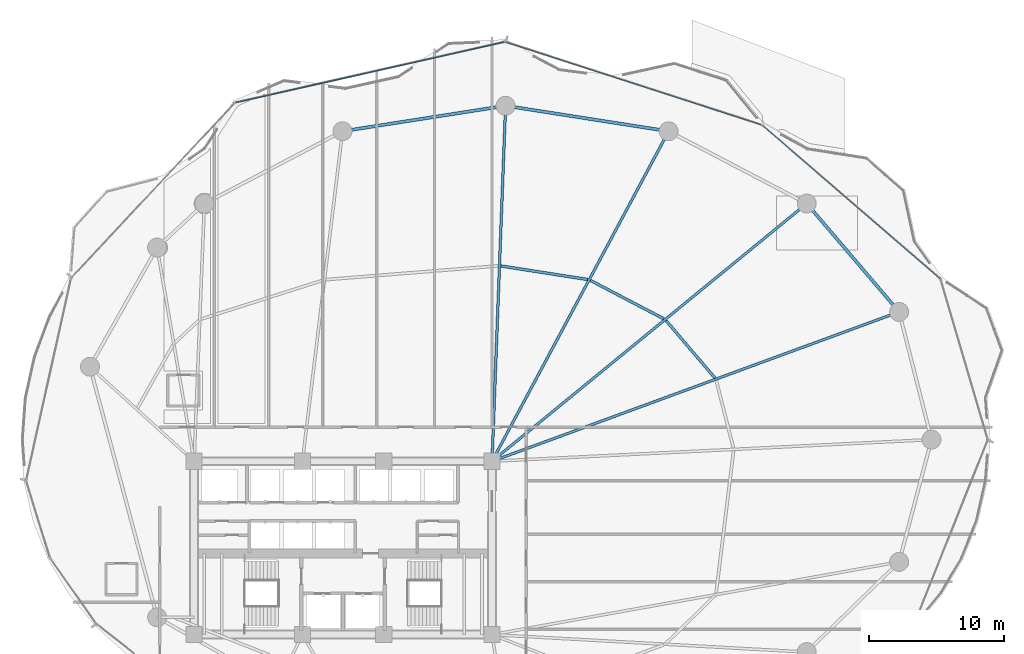
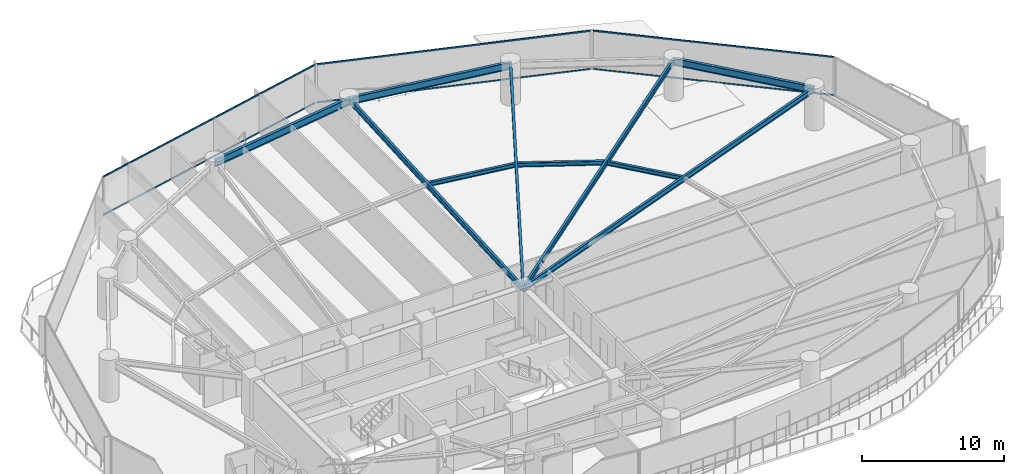
# One storey, part 19 of 32: 10 beams, 6 members, 3 elements without a shape of their own.
"""IFC4 building model written with IfcOpenShell, lengths in metres."""

import ifcopenshell
import ifcopenshell.guid

model = None  # the IFC model being written
_history = None  # IfcOwnerHistory: only IFC2X3 demands one
_inside = {}  # id of a spatial element -> (the spatial element, [elements in it])
_under = {}  # id of a project, library or spatial element -> (it, [spatial elements below it])
_declared = {}  # id of a project -> (the project, [libraries it declares])
_typed = {}  # id of a type object -> (the type object, [elements of that type])
_made_of = {}  # id of a material, layer set ... -> (it, [elements and type objects made of it])


def new_model(schema):
    """Start an empty IFC model of exactly this schema.

    Asked for "IFC4X3", IfcOpenShell would pick the latest addendum, in which some entities
    have other attributes; the version numbers below select the first issue.
    IFC2X3 requires an IfcOwnerHistory on every rooted entity: one is made here for all.
    """
    global model, _history
    if schema == "IFC4X3":
        model = ifcopenshell.file(schema_version=(4, 3, 0, 0))
    else:
        model = ifcopenshell.file(schema=schema)
    _inside.clear()
    _under.clear()
    _declared.clear()
    _typed.clear()
    _made_of.clear()
    _history = None
    if model.schema == "IFC2X3":
        org = make("IfcOrganization", Name="unknown")
        user = make(
            "IfcPersonAndOrganization",
            ThePerson=make("IfcPerson", FamilyName="unknown"),
            TheOrganization=org,
        )
        app = make(
            "IfcApplication",
            ApplicationDeveloper=org,
            Version="unknown",
            ApplicationFullName="unknown",
            ApplicationIdentifier="unknown",
        )
        _history = make(
            "IfcOwnerHistory",
            OwningUser=user,
            OwningApplication=app,
            ChangeAction="ADDED",
            CreationDate=0,
        )
    return model


def make(cls, **values):
    """One entity of the class cls with the attributes given. An attribute that is None is left unset."""
    return model.create_entity(
        cls, **{name: value for name, value in values.items() if value is not None}
    )


def rooted(cls, **values):
    """An entity with a GlobalId (a new one), such as an element, a storey or a relation."""
    return make(cls, GlobalId=ifcopenshell.guid.new(), OwnerHistory=_history, **values)


def si_unit(unit_type, name, prefix=None):
    """IfcSIUnit, for example si_unit("LENGTHUNIT", "METRE", prefix="MILLI")."""
    return make("IfcSIUnit", UnitType=unit_type, Prefix=prefix, Name=name)


def assignment(units):
    """IfcUnitAssignment: the units of a project."""
    return None if units is None else make("IfcUnitAssignment", Units=units)


def point(xyz):
    """IfcCartesianPoint."""
    return None if xyz is None else make("IfcCartesianPoint", Coordinates=xyz)


def direction(xyz):
    """IfcDirection."""
    return None if xyz is None else make("IfcDirection", DirectionRatios=xyz)


def frame(location, z_axis=None, x_axis=None):
    """IfcAxis2Placement3D, a coordinate frame: its origin and axes. An axis left out is left unset."""
    return make(
        "IfcAxis2Placement3D",
        Location=point(location),
        Axis=direction(z_axis),
        RefDirection=direction(x_axis),
    )


def frame_2d(location, x_axis=None):
    """IfcAxis2Placement2D, a coordinate frame in the plane: its origin and x axis."""
    return make(
        "IfcAxis2Placement2D", Location=point(location), RefDirection=direction(x_axis)
    )


def origin():
    """The frame at (0, 0, 0) with its axes left unset."""
    return frame((0.0, 0.0, 0.0))


def origin_2d():
    """The frame at (0, 0) in the plane with its x axis left unset."""
    return frame_2d((0.0, 0.0))


def place(relative_to, where):
    """IfcLocalPlacement: puts the frame where relative to a parent placement (None: the world)."""
    return make(
        "IfcLocalPlacement", PlacementRelTo=relative_to, RelativePlacement=where
    )


def context(
    kind, dimensions, precision=None, world=None, true_north=None, identifier=None
):
    """IfcGeometricRepresentationContext, for example the 3D "Model" context."""
    return make(
        "IfcGeometricRepresentationContext",
        ContextIdentifier=identifier,
        ContextType=kind,
        CoordinateSpaceDimension=dimensions,
        Precision=precision,
        WorldCoordinateSystem=world,
        TrueNorth=true_north,
    )


def subcontext(parent, identifier, kind, view, scale=None):
    """IfcGeometricRepresentationSubContext, for example "Body" below "Model"."""
    return make(
        "IfcGeometricRepresentationSubContext",
        ContextIdentifier=identifier,
        ContextType=kind,
        ParentContext=parent,
        TargetScale=scale,
        TargetView=view,
    )


def project(units=None, contexts=None):
    """IfcProject with its units and contexts."""
    return rooted(
        "IfcProject",
        Name="project",
        RepresentationContexts=contexts,
        UnitsInContext=assignment(units),
    )


def spatial(cls, under=None, at=None, **own):
    """A site, building, storey or space (cls), placed at a placement, below another one or the project."""
    s = rooted(cls, ObjectPlacement=at, **own)
    if under is not None:
        _under.setdefault(under.id(), (under, []))[1].append(s)
    return s


def profile(cls, at=None, kind="AREA", **sizes):
    """A parametric profile (cls). Its sizes go by their IFC names, for example OverallWidth=200.0."""
    return make(cls, ProfileType=kind, Position=at, **sizes)


def hollow_rectangle(**sizes):
    """IfcRectangleHollowProfileDef."""
    return profile("IfcRectangleHollowProfileDef", **sizes)


def i_section(**sizes):
    """IfcIShapeProfileDef."""
    return profile("IfcIShapeProfileDef", **sizes)


def extrude(swept, where, along, depth):
    """IfcExtrudedAreaSolid: the profile swept, set in the frame where, extruded along a direction by depth."""
    return make(
        "IfcExtrudedAreaSolid",
        SweptArea=swept,
        Position=where,
        ExtrudedDirection=direction(along),
        Depth=depth,
    )


def shape(context_of_items, identifier, shape_type, items):
    """IfcShapeRepresentation: the items that make up one representation, for example the "Body"."""
    return make(
        "IfcShapeRepresentation",
        ContextOfItems=context_of_items,
        RepresentationIdentifier=identifier,
        RepresentationType=shape_type,
        Items=items,
    )


def material(Name=None, Category=None):
    """IfcMaterial."""
    return make("IfcMaterial", Name=Name, Category=Category)


def layer(
    of_material, thickness, ventilated=None, Name=None, Category=None, Priority=None
):
    """IfcMaterialLayer: one layer of a wall or slab, of a material (None: an air gap)."""
    return make(
        "IfcMaterialLayer",
        Material=of_material,
        LayerThickness=thickness,
        IsVentilated=ventilated,
        Name=Name,
        Category=Category,
        Priority=Priority,
    )


def layer_set(layers, Name=None):
    """IfcMaterialLayerSet."""
    return make("IfcMaterialLayerSet", MaterialLayers=layers, LayerSetName=Name)


def material_profile(
    of_material, cross_section, Name=None, Category=None, Priority=None
):
    """IfcMaterialProfile: a cross section and its material."""
    return make(
        "IfcMaterialProfile",
        Name=Name,
        Material=of_material,
        Profile=cross_section,
        Priority=Priority,
        Category=Category,
    )


def profile_set(profiles, Name=None, composite=None):
    """IfcMaterialProfileSet."""
    return make(
        "IfcMaterialProfileSet",
        Name=Name,
        MaterialProfiles=profiles,
        CompositeProfile=composite,
    )


def made_of(thing, what):
    """Note that an element or type object is made of a material, layer set ...; save() writes the relation."""
    if what is not None:
        _made_of.setdefault(what.id(), (what, []))[1].append(thing)
    return thing


def type_object(cls, material=None, **own):
    """A type object (cls), such as IfcWallType, which elements share."""
    return made_of(rooted(cls, **own), material)


def element(
    cls,
    number,
    at=None,
    inside=None,
    cuts=None,
    type_object=None,
    material=None,
    context=None,
    identifier="Body",
    shape_type=None,
    held_by="IfcProductDefinitionShape",
    body=None,
    shapes=None,
    **own,
):
    """One element of the class cls, such as IfcWall. Its Tag is "e" and its number.

    at: its placement. inside: the storey or other place that contains it. cuts: it is an
    opening in that element (IfcRelVoidsElement). A single representation is given by context,
    identifier, shape_type and body (its items); several are given by shapes. held_by: the class
    of the entity that holds the representations. save() writes the other relations.
    """
    e = rooted(cls, Tag="e%d" % number, ObjectPlacement=at, **own)
    if body is not None:
        shapes = [shape(context, identifier, shape_type, body)]
    if shapes is not None:
        e.Representation = make(held_by, Representations=shapes)
    if inside is not None:
        _inside.setdefault(inside.id(), (inside, []))[1].append(e)
    if cuts is not None:
        rooted(
            "IfcRelVoidsElement", RelatingBuildingElement=cuts, RelatedOpeningElement=e
        )
    if type_object is not None:
        _typed.setdefault(type_object.id(), (type_object, []))[1].append(e)
    return made_of(e, material)


def aggregate(whole, parts):
    """IfcRelAggregates: a whole, such as a stair, and the parts it consists of."""
    return rooted("IfcRelAggregates", RelatingObject=whole, RelatedObjects=parts)


def save(model, path):
    """Write the relations noted so far, then the file.

    IfcRelAggregates (storeys below a building ...), IfcRelContainedInSpatialStructure (elements
    in a storey), IfcRelDefinesByType, IfcRelAssociatesMaterial and IfcRelDeclares: one each for
    every whole, place, type object, material and project.
    """
    for whole, parts in _under.values():
        aggregate(whole, parts)
    for where, things in _inside.values():
        rooted(
            "IfcRelContainedInSpatialStructure",
            RelatedElements=things,
            RelatingStructure=where,
        )
    for kind, things in _typed.values():
        rooted("IfcRelDefinesByType", RelatedObjects=things, RelatingType=kind)
    for what, things in _made_of.values():
        rooted("IfcRelAssociatesMaterial", RelatedObjects=things, RelatingMaterial=what)
    for by, libraries in _declared.values():
        rooted("IfcRelDeclares", RelatingContext=by, RelatedDefinitions=libraries)
    model.write(path)


model = new_model("IFC4")

# Units and contexts
model_context = context("Model", 3, precision=1e-05, world=origin(), true_north=direction((0.0, 1.0)))
body_context = subcontext(model_context, "Body", "Model", "MODEL_VIEW")
ifc_project = project(units=[si_unit("LENGTHUNIT", "METRE"), si_unit("AREAUNIT", "SQUARE_METRE"), si_unit("VOLUMEUNIT", "CUBIC_METRE"), si_unit("PLANEANGLEUNIT", "RADIAN"), si_unit("MASSUNIT", "GRAM", prefix="KILO")], contexts=[model_context])

# Site, building, storey
site_placement = place(None, origin())
site = spatial("IfcSite", under=ifc_project, at=site_placement, CompositionType="ELEMENT")
building_placement = place(site_placement, origin())
building = spatial("IfcBuilding", under=site, at=building_placement, Name="Kazevale Care Tower and Concert Hall", CompositionType="ELEMENT")
storey_placement = place(building_placement, frame((0.0, 0.0, 24.0)))
storey = spatial("IfcBuildingStorey", under=building, at=storey_placement, Name="L05", CompositionType="ELEMENT", Elevation=24.0)

# Curtain wall, members
ifc_material_1 = material(Name="Aluminium 6063-T6 and Low-E Glass", Category="aluminium")
ifc_layer_1 = layer(ifc_material_1, 0.179931640625)
ifc_layer_set_1 = layer_set([ifc_layer_1], Name="Aluminium 6063-T6 and Low-E Glass")
curtain_wall_type_1 = type_object("IfcCurtainWallType", Name="Convex Checkerboard Finned Curtain Wall CW-2", PredefinedType="NOTDEFINED", material=ifc_layer_set_1)
curtain_wall_1_placement = place(storey_placement, origin())
curtain_wall_1 = element("IfcCurtainWall", 1, at=curtain_wall_1_placement, inside=storey, type_object=curtain_wall_type_1, Name="cw:L05:f16", PredefinedType="NOTDEFINED")
ifc_material_2 = material(Name="Aluminium 6063-T6", Category="aluminium")
ifc_material_profile_1 = material_profile(ifc_material_2, hollow_rectangle(XDim=0.074951171875, YDim=0.1201171875, WallThickness=0.00390625, at=origin_2d()), Name="ALU75x120x4")
ifc_profile_set_1 = profile_set([ifc_material_profile_1], Name="Aluminium 6063-T6")
member_type_1 = type_object("IfcMemberType", Name="CW-2 Transom ALU75x120x4", PredefinedType="USERDEFINED", material=ifc_profile_set_1)
member_1_placement = place(storey_placement, frame((45.03515625, 67.34326171875, 0.03759765625), z_axis=(0.951413042648, -0.3079175576, 0.0), x_axis=(0.3079175576, 0.951413042648, 0.0)))
member_1 = element("IfcMember", 2, at=member_1_placement, type_object=member_type_1, Name="CW-2 transom 1.1", ObjectType="TRANSOM", PredefinedType="USERDEFINED", context=body_context, shape_type="SweptSolid", body=[
    extrude(hollow_rectangle(XDim=0.074951171875, YDim=0.1201171875, WallThickness=0.00390625, at=origin_2d()), origin(), (0.0, 0.0, 1.0), 19.77978515625),
])
member_2_placement = place(storey_placement, frame((45.03515625, 67.34326171875, 3.322509765625), z_axis=(0.951413042648, -0.3079175576, 0.0), x_axis=(0.3079175576, 0.951413042648, 0.0)))
member_2 = element("IfcMember", 3, at=member_2_placement, type_object=member_type_1, Name="CW-2 transom 1.2", ObjectType="TRANSOM", PredefinedType="USERDEFINED", context=body_context, shape_type="SweptSolid", body=[
    extrude(hollow_rectangle(XDim=0.074951171875, YDim=0.1201171875, WallThickness=0.00390625, at=origin_2d()), origin(), (0.0, 0.0, 1.0), 19.77978515625),
])
aggregate(curtain_wall_1, [member_1, member_2])

ifc_layer_2 = layer(ifc_material_1, 0.179931640625)
ifc_layer_set_2 = layer_set([ifc_layer_2], Name="Aluminium 6063-T6 and Low-E Glass")
curtain_wall_type_2 = type_object("IfcCurtainWallType", Name="Convex Recessed Sunroom Curtain Wall CW-3", PredefinedType="NOTDEFINED", material=ifc_layer_set_2)
curtain_wall_2_placement = place(storey_placement, origin())
curtain_wall_2 = element("IfcCurtainWall", 4, at=curtain_wall_2_placement, inside=storey, type_object=curtain_wall_type_2, Name="cw:L05:f15", PredefinedType="NOTDEFINED")
ifc_material_profile_2 = material_profile(ifc_material_2, hollow_rectangle(XDim=0.074951171875, YDim=0.1201171875, WallThickness=0.00390625, at=origin_2d()), Name="ALU75x120x4")
ifc_profile_set_2 = profile_set([ifc_material_profile_2], Name="Aluminium 6063-T6")
member_type_2 = type_object("IfcMemberType", Name="CW-3 Transom ALU75x120x4", PredefinedType="USERDEFINED", material=ifc_profile_set_2)
member_3_placement = place(storey_placement, frame((25.110107421875, 62.8935546875, 0.03759765625), z_axis=(0.975519983898, 0.219910802409, 0.0), x_axis=(-0.219910802409, 0.975519983898, 0.0)))
member_3 = element("IfcMember", 5, at=member_3_placement, type_object=member_type_2, Name="CW-3 transom 1.1", ObjectType="TRANSOM", PredefinedType="USERDEFINED", context=body_context, shape_type="SweptSolid", body=[
    extrude(hollow_rectangle(XDim=0.074951171875, YDim=0.1201171875, WallThickness=0.00390625, at=origin_2d()), origin(), (0.0, 0.0, 1.0), 20.27197265625),
])
member_4_placement = place(storey_placement, frame((25.110107421875, 62.8935546875, 3.322509765625), z_axis=(0.975519983898, 0.219910802409, 0.0), x_axis=(-0.219910802409, 0.975519983898, 0.0)))
member_4 = element("IfcMember", 6, at=member_4_placement, type_object=member_type_2, Name="CW-3 transom 1.2", ObjectType="TRANSOM", PredefinedType="USERDEFINED", context=body_context, shape_type="SweptSolid", body=[
    extrude(hollow_rectangle(XDim=0.074951171875, YDim=0.1201171875, WallThickness=0.00390625, at=origin_2d()), origin(), (0.0, 0.0, 1.0), 20.27197265625),
])
aggregate(curtain_wall_2, [member_3, member_4])

curtain_wall_3_placement = place(storey_placement, origin())
curtain_wall_3 = element("IfcCurtainWall", 7, at=curtain_wall_3_placement, inside=storey, type_object=curtain_wall_type_2, Name="cw:L05:f17", PredefinedType="NOTDEFINED")
member_5_placement = place(storey_placement, frame((63.98681640625, 61.178955078125, 0.03759765625), z_axis=(0.757205368894, -0.653176874451, 0.0), x_axis=(0.653176874451, 0.757205368894, 0.0)))
member_5 = element("IfcMember", 8, at=member_5_placement, type_object=member_type_2, Name="CW-3 transom 1.1", ObjectType="TRANSOM", PredefinedType="USERDEFINED", context=body_context, shape_type="SweptSolid", body=[
    extrude(hollow_rectangle(XDim=0.074951171875, YDim=0.1201171875, WallThickness=0.00390625, at=origin_2d()), origin(), (0.0, 0.0, 1.0), 17.280029296875),
])
member_6_placement = place(storey_placement, frame((63.98681640625, 61.178955078125, 3.322509765625), z_axis=(0.757205368894, -0.653176874451, 0.0), x_axis=(0.653176874451, 0.757205368894, 0.0)))
member_6 = element("IfcMember", 9, at=member_6_placement, type_object=member_type_2, Name="CW-3 transom 1.2", ObjectType="TRANSOM", PredefinedType="USERDEFINED", context=body_context, shape_type="SweptSolid", body=[
    extrude(hollow_rectangle(XDim=0.074951171875, YDim=0.1201171875, WallThickness=0.00390625, at=origin_2d()), origin(), (0.0, 0.0, 1.0), 17.280029296875),
])
aggregate(curtain_wall_3, [member_5, member_6])

# Beams
ifc_material_3 = material(Name="Steel ASTM A572 Gr 50", Category="steel")
ifc_material_profile_3 = material_profile(ifc_material_3, i_section(OverallWidth=0.19091796875, OverallDepth=0.4599609375, WebThickness=0.010009765625, FlangeThickness=0.01611328125, at=origin_2d()), Name="W460x82")
ifc_profile_set_3 = profile_set([ifc_material_profile_3], Name="Steel ASTM A572 Gr 50")
beam_type_1 = type_object("IfcBeamType", Name="Radial Floor Beam W460x82", PredefinedType="BEAM", material=ifc_profile_set_3)
beam_1_placement = place(storey_placement, frame((44.0, 36.39990234375, 3.1298828125), z_axis=(0.938795458019, 0.34447509054, 0.0), x_axis=(-0.34447509054, 0.938795458019, 0.0)))
element("IfcBeam", 10, at=beam_1_placement, inside=storey, type_object=beam_type_1, Name="beam:L05:rad:02", PredefinedType="BEAM", context=body_context, shape_type="SweptSolid", body=[
    extrude(i_section(OverallWidth=0.19091796875, OverallDepth=0.4599609375, WebThickness=0.010009765625, FlangeThickness=0.01611328125, at=origin_2d()), origin(), (0.0, 0.0, 1.0), 32.019775390625),
])
beam_2_placement = place(storey_placement, frame((44.0, 36.39990234375, 3.1298828125), z_axis=(0.773704467398, 0.633546681097, 0.0), x_axis=(-0.633546681097, 0.773704467398, 0.0)))
element("IfcBeam", 11, at=beam_2_placement, inside=storey, type_object=beam_type_1, Name="beam:L05:rad:03", PredefinedType="BEAM", context=body_context, shape_type="SweptSolid", body=[
    extrude(i_section(OverallWidth=0.19091796875, OverallDepth=0.4599609375, WebThickness=0.010009765625, FlangeThickness=0.01611328125, at=origin_2d()), origin(), (0.0, 0.0, 1.0), 30.037353515625),
])
beam_3_placement = place(storey_placement, frame((44.0, 36.39990234375, 3.1298828125), z_axis=(0.471788966953, 0.88171150081, 0.0), x_axis=(-0.88171150081, 0.471788966953, 0.0)))
element("IfcBeam", 12, at=beam_3_placement, inside=storey, type_object=beam_type_1, Name="beam:L05:rad:04", PredefinedType="BEAM", context=body_context, shape_type="SweptSolid", body=[
    extrude(i_section(OverallWidth=0.19091796875, OverallDepth=0.4599609375, WebThickness=0.010009765625, FlangeThickness=0.01611328125, at=origin_2d()), origin(), (0.0, 0.0, 1.0), 27.6396484375),
])
beam_4_placement = place(storey_placement, frame((44.0, 36.39990234375, 3.1298828125), z_axis=(0.038067625343, 0.999275165258, 0.0), x_axis=(-0.999275165258, 0.038067625343, 0.0)))
element("IfcBeam", 13, at=beam_4_placement, inside=storey, type_object=beam_type_1, Name="beam:L05:rad:05", PredefinedType="BEAM", context=body_context, shape_type="SweptSolid", body=[
    extrude(i_section(OverallWidth=0.19091796875, OverallDepth=0.4599609375, WebThickness=0.010009765625, FlangeThickness=0.01611328125, at=origin_2d()), origin(), (0.0, 0.0, 1.0), 26.26904296875),
])
ifc_material_profile_4 = material_profile(ifc_material_3, i_section(OverallWidth=0.22900390625, OverallDepth=0.612060546875, WebThickness=0.011962890625, FlangeThickness=0.01953125, at=origin_2d()), Name="W610x125")
ifc_profile_set_4 = profile_set([ifc_material_profile_4], Name="Steel ASTM A572 Gr 50")
beam_type_2 = type_object("IfcBeamType", Name="Ring Spandrel Beam W610x125", PredefinedType="SPANDREL", material=ifc_profile_set_4)
beam_5_placement = place(storey_placement, frame((74.06005859375, 47.429931640625, 3.053955078125), z_axis=(-0.648756004283, 0.760996482848, 0.0), x_axis=(-0.760996482848, -0.648756004283, 0.0)))
element("IfcBeam", 14, at=beam_5_placement, inside=storey, type_object=beam_type_2, Name="beam:L05:ring:02", PredefinedType="SPANDREL", context=body_context, shape_type="SweptSolid", body=[
    extrude(i_section(OverallWidth=0.22900390625, OverallDepth=0.612060546875, WebThickness=0.011962890625, FlangeThickness=0.01953125, at=origin_2d()), origin(), (0.0, 0.0, 1.0), 10.512451171875),
])
for number, where, z_axis, x_axis, name in (
    (15, (57.0400390625, 60.77001953125, 3.053955078125), (-0.988029216561, 0.154266870134, 0.0), (-0.154266870134, -0.988029216561, 0.0), "beam:L05:ring:04"),
    (16, (45.0, 62.64990234375, 3.053955078125), (-0.988029216561, -0.154266870134, 0.0), (0.154266870134, -0.988029216561, 0.0), "beam:L05:ring:05"),
):
    element("IfcBeam", number, at=place(storey_placement, frame(where, z_axis=z_axis, x_axis=x_axis)), inside=storey, type_object=beam_type_2, Name=name, PredefinedType="SPANDREL", context=body_context, shape_type="SweptSolid", body=[
        extrude(i_section(OverallWidth=0.22900390625, OverallDepth=0.612060546875, WebThickness=0.011962890625, FlangeThickness=0.01953125, at=origin_2d()), origin(), (0.0, 0.0, 1.0), 12.18603515625),
    ])
ifc_material_profile_5 = material_profile(ifc_material_3, i_section(OverallWidth=0.205078125, OverallDepth=0.35400390625, WebThickness=0.009521484375, FlangeThickness=0.016845703125, at=origin_2d()), Name="W360x79")
ifc_profile_set_5 = profile_set([ifc_material_profile_5], Name="Steel ASTM A572 Gr 50")
beam_type_3 = type_object("IfcBeamType", Name="Secondary Floor Joist W360x79", PredefinedType="JOIST", material=ifc_profile_set_5)
beam_6_placement = place(storey_placement, frame((60.465087890625, 42.5458984375, 3.18310546875), z_axis=(-0.648685510477, 0.761056573783, 0.0), x_axis=(-0.761056573783, -0.648685510477, 0.0)))
element("IfcBeam", 17, at=beam_6_placement, inside=storey, type_object=beam_type_3, Name="beam:L05:joist:02", PredefinedType="JOIST", context=body_context, shape_type="SweptSolid", body=[
    extrude(i_section(OverallWidth=0.205078125, OverallDepth=0.35400390625, WebThickness=0.009521484375, FlangeThickness=0.016845703125, at=origin_2d()), origin(), (0.0, 0.0, 1.0), 5.57275390625),
])
beam_7_placement = place(storey_placement, frame((56.68896484375, 46.9150390625, 3.18310546875), z_axis=(-0.885921274797, 0.463835633454, 0.0), x_axis=(-0.463835633454, -0.885921274797, 0.0)))
element("IfcBeam", 18, at=beam_7_placement, inside=storey, type_object=beam_type_3, Name="beam:L05:joist:03", PredefinedType="JOIST", context=body_context, shape_type="SweptSolid", body=[
    extrude(i_section(OverallWidth=0.205078125, OverallDepth=0.35400390625, WebThickness=0.009521484375, FlangeThickness=0.016845703125, at=origin_2d()), origin(), (0.0, 0.0, 1.0), 6.12255859375),
])
beam_8_placement = place(storey_placement, frame((51.068115234375, 49.820068359375, 3.18310546875), z_axis=(-0.988040697826, 0.154193318403, 0.0), x_axis=(-0.154193318403, -0.988040697826, 0.0)))
element("IfcBeam", 19, at=beam_8_placement, inside=storey, type_object=beam_type_3, Name="beam:L05:joist:04", PredefinedType="JOIST", context=body_context, shape_type="SweptSolid", body=[
    extrude(i_section(OverallWidth=0.205078125, OverallDepth=0.35400390625, WebThickness=0.009521484375, FlangeThickness=0.016845703125, at=origin_2d()), origin(), (0.0, 0.0, 1.0), 6.49169921875),
])

save(model, "model.ifc")
